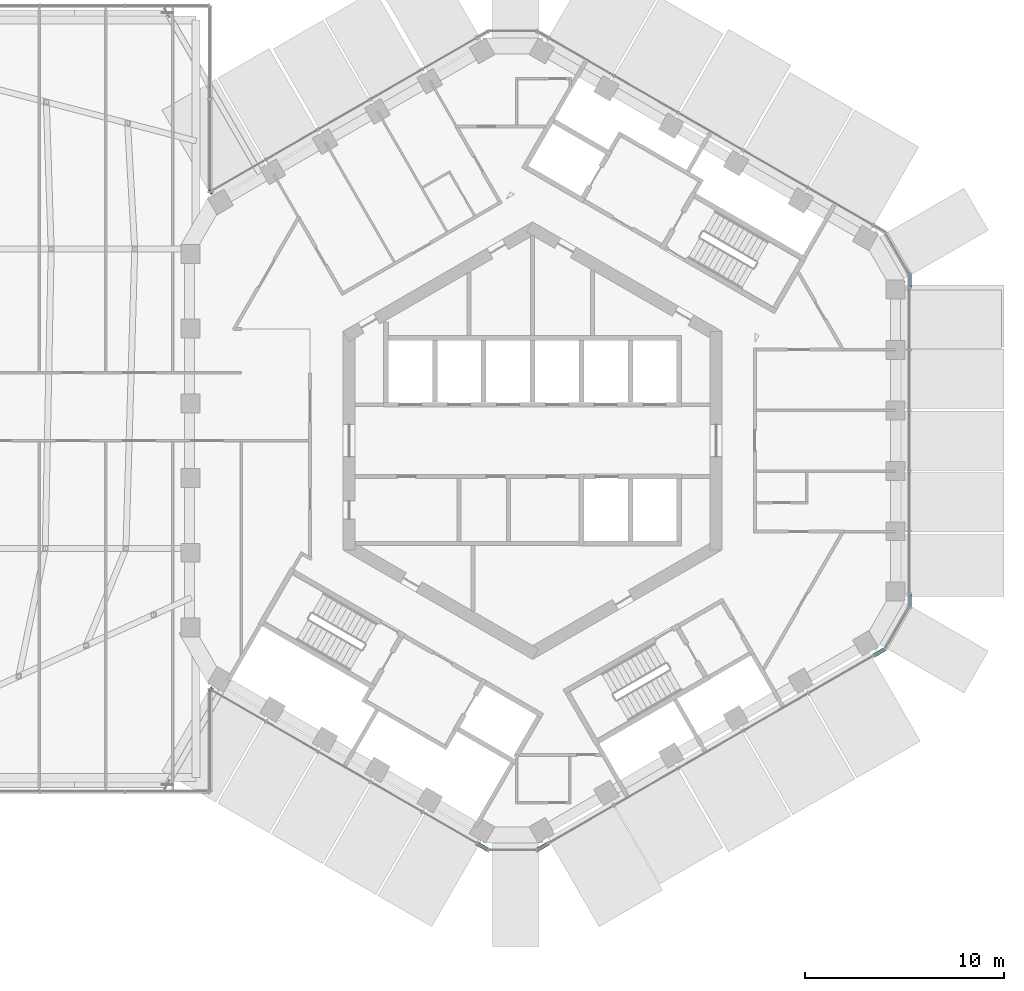
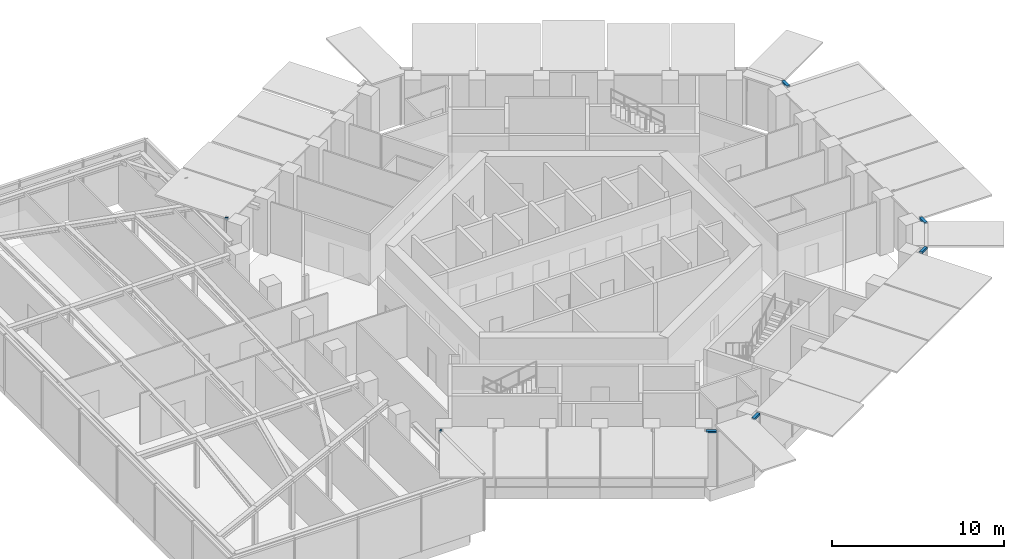
# One storey, part 8 of 24: 7 members, 5 elements without a shape of their own.
"""IFC4 building model written with IfcOpenShell, lengths in metres."""

from ifc_helpers import new_model, si_unit, direction, frame, origin, origin_2d, place, context, subcontext, project, spatial, rectangle, extrude, material, layer, layer_set, material_profile, profile_set, type_object, element, aggregate, save


model = new_model("IFC4")

# Units and contexts
model_context = context("Model", 3, precision=1e-05, world=origin(), true_north=direction((0.0, 1.0)))
body_context = subcontext(model_context, "Body", "Model", "MODEL_VIEW")
ifc_project = project(units=[si_unit("LENGTHUNIT", "METRE"), si_unit("AREAUNIT", "SQUARE_METRE"), si_unit("VOLUMEUNIT", "CUBIC_METRE"), si_unit("PLANEANGLEUNIT", "RADIAN"), si_unit("MASSUNIT", "GRAM", prefix="KILO")], contexts=[model_context])

# Site, building, storey
site_placement = place(None, origin())
site = spatial("IfcSite", under=ifc_project, at=site_placement, CompositionType="ELEMENT")
building_placement = place(site_placement, origin())
building = spatial("IfcBuilding", under=site, at=building_placement, Name="Ayvan Gate Tower", CompositionType="ELEMENT")
storey_placement = place(building_placement, frame((0.0, 0.0, 210.10009765625)))
storey = spatial("IfcBuildingStorey", under=building, at=storey_placement, Name="L56", CompositionType="ELEMENT", Elevation=210.10009765625)

# Curtain wall, members
ifc_material = material(Name="Bronze anodised aluminium", Category="aluminium")
ifc_layer = layer(ifc_material, 0.199951171875)
ifc_layer_set = layer_set([ifc_layer], Name="Bronze anodised aluminium")
curtain_wall_type = type_object("IfcCurtainWallType", Name="Stick curtain wall CW-6", PredefinedType="NOTDEFINED", material=ifc_layer_set)
curtain_wall_1_placement = place(storey_placement, origin())
curtain_wall_1 = element("IfcCurtainWall", 1, at=curtain_wall_1_placement, inside=storey, type_object=curtain_wall_type, Name="Stick curtain wall CW-6 L56", PredefinedType="NOTDEFINED")
ifc_material_profile = material_profile(ifc_material, rectangle(XDim=0.199951171875, YDim=0.1201171875, at=origin_2d()), Name="Stick curtain wall CW-6 transom 200 x 120")
ifc_profile_set = profile_set([ifc_material_profile], Name="Bronze anodised aluminium")
member_type = type_object("IfcMemberType", Name="Stick curtain wall CW-6 transom 200 x 120", PredefinedType="USERDEFINED", material=ifc_profile_set)
member_1_placement = place(storey_placement, frame((-2.772216796875, -20.207763671875, 3.93994140625), z_axis=(0.866022959057, -0.500004234368, 0.0), x_axis=(0.500004234368, 0.866022959057, 0.0)))
member_1 = element("IfcMember", 2, at=member_1_placement, type_object=member_type, Name="CW-6 transom 1", ObjectType="TRANSOM", PredefinedType="USERDEFINED", context=body_context, shape_type="SweptSolid", body=[
    extrude(rectangle(XDim=0.199951171875, YDim=0.1201171875, at=origin_2d()), origin(), (0.0, 0.0, 1.0), 0.625),
])
member_2_placement = place(storey_placement, frame((0.22705078125, -20.520263671875, 3.93994140625), z_axis=(0.866022959057, 0.500004234368, 0.0), x_axis=(-0.500004234368, 0.866022959057, 0.0)))
member_2 = element("IfcMember", 3, at=member_2_placement, type_object=member_type, Name="CW-6 transom 2", ObjectType="TRANSOM", PredefinedType="USERDEFINED", context=body_context, shape_type="SweptSolid", body=[
    extrude(rectangle(XDim=0.199951171875, YDim=0.1201171875, at=origin_2d()), origin(), (0.0, 0.0, 1.0), 0.625),
])
aggregate(curtain_wall_1, [member_1, member_2])

curtain_wall_2_placement = place(storey_placement, origin())
curtain_wall_2 = element("IfcCurtainWall", 4, at=curtain_wall_2_placement, inside=storey, type_object=curtain_wall_type, Name="Stick curtain wall CW-6 L56", PredefinedType="NOTDEFINED")
member_3_placement = place(storey_placement, frame((17.116455078125, -10.769287109375, 3.93994140625), z_axis=(0.866022959057, 0.500004234368, 0.0), x_axis=(-0.500004234368, 0.866022959057, 0.0)))
member_3 = element("IfcMember", 5, at=member_3_placement, type_object=member_type, Name="CW-6 transom 1", ObjectType="TRANSOM", PredefinedType="USERDEFINED", context=body_context, shape_type="SweptSolid", body=[
    extrude(rectangle(XDim=0.199951171875, YDim=0.1201171875, at=origin_2d()), origin(), (0.0, 0.0, 1.0), 0.625),
])
member_4_placement = place(storey_placement, frame((18.886474609375, -8.328125, 3.93994140625), z_axis=(0.0, 1.0, 0.0), x_axis=(-1.0, 0.0, 0.0)))
member_4 = element("IfcMember", 6, at=member_4_placement, type_object=member_type, Name="CW-6 transom 3", ObjectType="TRANSOM", PredefinedType="USERDEFINED", context=body_context, shape_type="SweptSolid", body=[
    extrude(rectangle(XDim=0.199951171875, YDim=0.1201171875, at=origin_2d()), origin(), (0.0, 0.0, 1.0), 0.625),
])
aggregate(curtain_wall_2, [member_3, member_4])

# Curtain wall, member
curtain_wall_3_placement = place(storey_placement, origin())
curtain_wall_3 = element("IfcCurtainWall", 7, at=curtain_wall_3_placement, inside=storey, type_object=curtain_wall_type, Name="Stick curtain wall CW-6 L56", PredefinedType="NOTDEFINED")
member_5_placement = place(storey_placement, frame((18.886474609375, 7.703125, 3.93994140625), z_axis=(0.0, 1.0, 0.0), x_axis=(-1.0, 0.0, 0.0)))
member_5 = element("IfcMember", 8, at=member_5_placement, type_object=member_type, Name="CW-6 transom 1", ObjectType="TRANSOM", PredefinedType="USERDEFINED", context=body_context, shape_type="SweptSolid", body=[
    extrude(rectangle(XDim=0.199951171875, YDim=0.1201171875, at=origin_2d()), origin(), (0.0, 0.0, 1.0), 0.625),
])
aggregate(curtain_wall_3, [member_5])

curtain_wall_4_placement = place(storey_placement, origin())
curtain_wall_4 = element("IfcCurtainWall", 9, at=curtain_wall_4_placement, inside=storey, type_object=curtain_wall_type, Name="Stick curtain wall CW-6 L56", PredefinedType="NOTDEFINED")
member_6_placement = place(storey_placement, frame((-16.114501953125, 12.504638671875, 3.93994140625), z_axis=(-0.705875962776, -0.708335460904, 0.0), x_axis=(0.708335460904, -0.705875962776, 0.0)))
member_6 = element("IfcMember", 10, at=member_6_placement, type_object=member_type, Name="CW-6 transom 1", ObjectType="TRANSOM", PredefinedType="USERDEFINED", context=body_context, shape_type="SweptSolid", body=[
    extrude(rectangle(XDim=0.199951171875, YDim=0.1201171875, at=origin_2d()), origin(), (0.0, 0.0, 1.0), 0.099365234375),
])
aggregate(curtain_wall_4, [member_6])

curtain_wall_5_placement = place(storey_placement, origin())
curtain_wall_5 = element("IfcCurtainWall", 11, at=curtain_wall_5_placement, inside=storey, type_object=curtain_wall_type, Name="Stick curtain wall CW-6 L56", PredefinedType="NOTDEFINED")
member_7_placement = place(storey_placement, frame((-16.1845703125, -12.434326171875, 3.93994140625), z_axis=(0.705875962776, -0.708335460904, 0.0), x_axis=(0.708335460904, 0.705875962776, 0.0)))
member_7 = element("IfcMember", 12, at=member_7_placement, type_object=member_type, Name="CW-6 transom 1", ObjectType="TRANSOM", PredefinedType="USERDEFINED", context=body_context, shape_type="SweptSolid", body=[
    extrude(rectangle(XDim=0.199951171875, YDim=0.1201171875, at=origin_2d()), origin(), (0.0, 0.0, 1.0), 0.099365234375),
])
aggregate(curtain_wall_5, [member_7])

save(model, "model.ifc")
